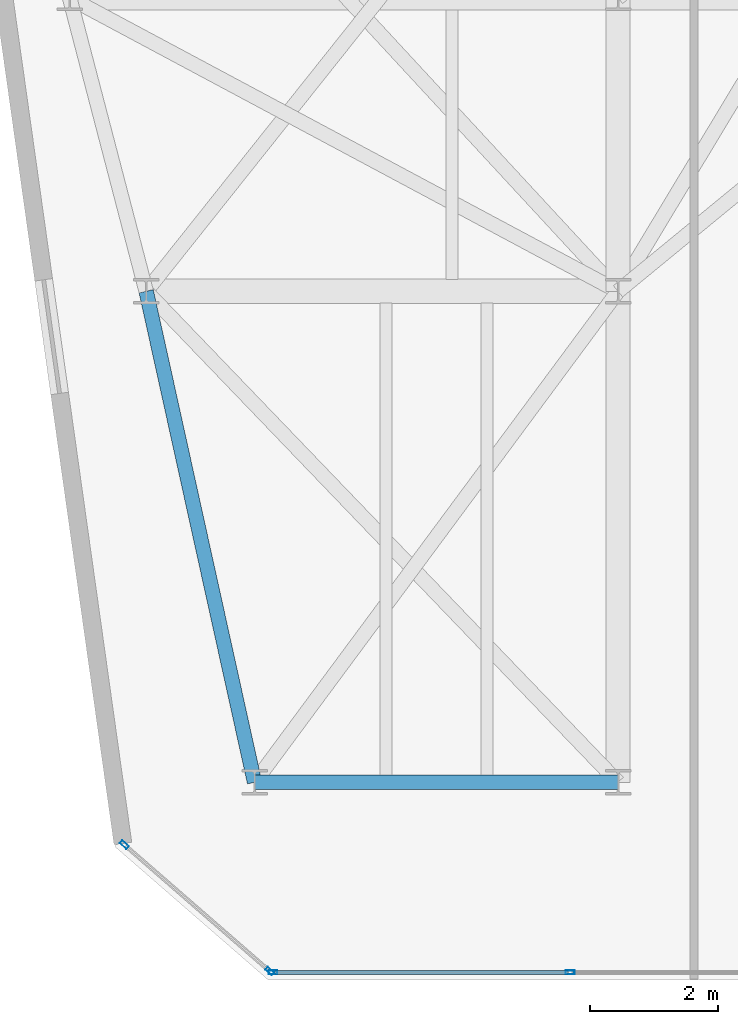
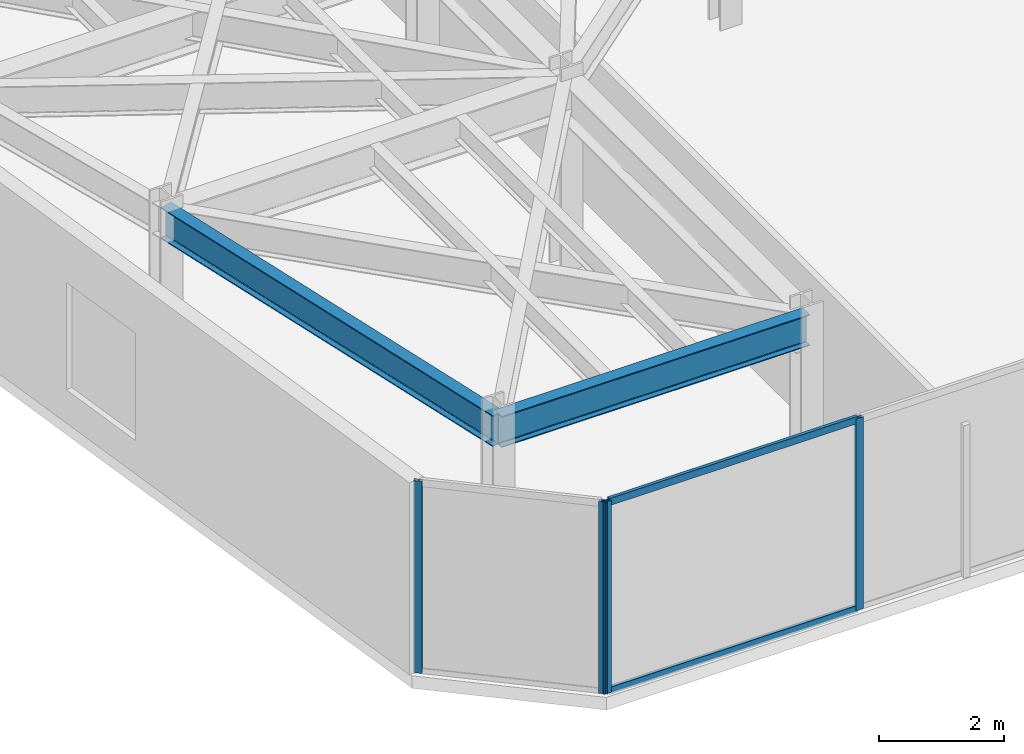
# One storey, part 2 of 21: 6 members, 2 beams, 2 elements without a shape of their own.
"""IFC4 building model written with IfcOpenShell, lengths in metres."""

import ifcopenshell
import ifcopenshell.guid

model = None  # the IFC model being written
_history = None  # IfcOwnerHistory: only IFC2X3 demands one
_inside = {}  # id of a spatial element -> (the spatial element, [elements in it])
_under = {}  # id of a project, library or spatial element -> (it, [spatial elements below it])
_declared = {}  # id of a project -> (the project, [libraries it declares])
_typed = {}  # id of a type object -> (the type object, [elements of that type])
_made_of = {}  # id of a material, layer set ... -> (it, [elements and type objects made of it])


def new_model(schema):
    """Start an empty IFC model of exactly this schema.

    Asked for "IFC4X3", IfcOpenShell would pick the latest addendum, in which some entities
    have other attributes; the version numbers below select the first issue.
    IFC2X3 requires an IfcOwnerHistory on every rooted entity: one is made here for all.
    """
    global model, _history
    if schema == "IFC4X3":
        model = ifcopenshell.file(schema_version=(4, 3, 0, 0))
    else:
        model = ifcopenshell.file(schema=schema)
    _inside.clear()
    _under.clear()
    _declared.clear()
    _typed.clear()
    _made_of.clear()
    _history = None
    if model.schema == "IFC2X3":
        org = make("IfcOrganization", Name="unknown")
        user = make(
            "IfcPersonAndOrganization",
            ThePerson=make("IfcPerson", FamilyName="unknown"),
            TheOrganization=org,
        )
        app = make(
            "IfcApplication",
            ApplicationDeveloper=org,
            Version="unknown",
            ApplicationFullName="unknown",
            ApplicationIdentifier="unknown",
        )
        _history = make(
            "IfcOwnerHistory",
            OwningUser=user,
            OwningApplication=app,
            ChangeAction="ADDED",
            CreationDate=0,
        )
    return model


def make(cls, **values):
    """One entity of the class cls with the attributes given. An attribute that is None is left unset."""
    return model.create_entity(
        cls, **{name: value for name, value in values.items() if value is not None}
    )


def rooted(cls, **values):
    """An entity with a GlobalId (a new one), such as an element, a storey or a relation."""
    return make(cls, GlobalId=ifcopenshell.guid.new(), OwnerHistory=_history, **values)


def si_unit(unit_type, name, prefix=None):
    """IfcSIUnit, for example si_unit("LENGTHUNIT", "METRE", prefix="MILLI")."""
    return make("IfcSIUnit", UnitType=unit_type, Prefix=prefix, Name=name)


def assignment(units):
    """IfcUnitAssignment: the units of a project."""
    return None if units is None else make("IfcUnitAssignment", Units=units)


def point(xyz):
    """IfcCartesianPoint."""
    return None if xyz is None else make("IfcCartesianPoint", Coordinates=xyz)


def direction(xyz):
    """IfcDirection."""
    return None if xyz is None else make("IfcDirection", DirectionRatios=xyz)


def frame(location, z_axis=None, x_axis=None):
    """IfcAxis2Placement3D, a coordinate frame: its origin and axes. An axis left out is left unset."""
    return make(
        "IfcAxis2Placement3D",
        Location=point(location),
        Axis=direction(z_axis),
        RefDirection=direction(x_axis),
    )


def frame_2d(location, x_axis=None):
    """IfcAxis2Placement2D, a coordinate frame in the plane: its origin and x axis."""
    return make(
        "IfcAxis2Placement2D", Location=point(location), RefDirection=direction(x_axis)
    )


def origin():
    """The frame at (0, 0, 0) with its axes left unset."""
    return frame((0.0, 0.0, 0.0))


def origin_2d():
    """The frame at (0, 0) in the plane with its x axis left unset."""
    return frame_2d((0.0, 0.0))


def place(relative_to, where):
    """IfcLocalPlacement: puts the frame where relative to a parent placement (None: the world)."""
    return make(
        "IfcLocalPlacement", PlacementRelTo=relative_to, RelativePlacement=where
    )


def context(
    kind, dimensions, precision=None, world=None, true_north=None, identifier=None
):
    """IfcGeometricRepresentationContext, for example the 3D "Model" context."""
    return make(
        "IfcGeometricRepresentationContext",
        ContextIdentifier=identifier,
        ContextType=kind,
        CoordinateSpaceDimension=dimensions,
        Precision=precision,
        WorldCoordinateSystem=world,
        TrueNorth=true_north,
    )


def subcontext(parent, identifier, kind, view, scale=None):
    """IfcGeometricRepresentationSubContext, for example "Body" below "Model"."""
    return make(
        "IfcGeometricRepresentationSubContext",
        ContextIdentifier=identifier,
        ContextType=kind,
        ParentContext=parent,
        TargetScale=scale,
        TargetView=view,
    )


def project(units=None, contexts=None):
    """IfcProject with its units and contexts."""
    return rooted(
        "IfcProject",
        Name="project",
        RepresentationContexts=contexts,
        UnitsInContext=assignment(units),
    )


def spatial(cls, under=None, at=None, **own):
    """A site, building, storey or space (cls), placed at a placement, below another one or the project."""
    s = rooted(cls, ObjectPlacement=at, **own)
    if under is not None:
        _under.setdefault(under.id(), (under, []))[1].append(s)
    return s


def profile(cls, at=None, kind="AREA", **sizes):
    """A parametric profile (cls). Its sizes go by their IFC names, for example OverallWidth=200.0."""
    return make(cls, ProfileType=kind, Position=at, **sizes)


def hollow_rectangle(**sizes):
    """IfcRectangleHollowProfileDef."""
    return profile("IfcRectangleHollowProfileDef", **sizes)


def i_section(**sizes):
    """IfcIShapeProfileDef."""
    return profile("IfcIShapeProfileDef", **sizes)


def extrude(swept, where, along, depth):
    """IfcExtrudedAreaSolid: the profile swept, set in the frame where, extruded along a direction by depth."""
    return make(
        "IfcExtrudedAreaSolid",
        SweptArea=swept,
        Position=where,
        ExtrudedDirection=direction(along),
        Depth=depth,
    )


def shape(context_of_items, identifier, shape_type, items):
    """IfcShapeRepresentation: the items that make up one representation, for example the "Body"."""
    return make(
        "IfcShapeRepresentation",
        ContextOfItems=context_of_items,
        RepresentationIdentifier=identifier,
        RepresentationType=shape_type,
        Items=items,
    )


def material(Name=None, Category=None):
    """IfcMaterial."""
    return make("IfcMaterial", Name=Name, Category=Category)


def layer(
    of_material, thickness, ventilated=None, Name=None, Category=None, Priority=None
):
    """IfcMaterialLayer: one layer of a wall or slab, of a material (None: an air gap)."""
    return make(
        "IfcMaterialLayer",
        Material=of_material,
        LayerThickness=thickness,
        IsVentilated=ventilated,
        Name=Name,
        Category=Category,
        Priority=Priority,
    )


def layer_set(layers, Name=None):
    """IfcMaterialLayerSet."""
    return make("IfcMaterialLayerSet", MaterialLayers=layers, LayerSetName=Name)


def material_profile(
    of_material, cross_section, Name=None, Category=None, Priority=None
):
    """IfcMaterialProfile: a cross section and its material."""
    return make(
        "IfcMaterialProfile",
        Name=Name,
        Material=of_material,
        Profile=cross_section,
        Priority=Priority,
        Category=Category,
    )


def profile_set(profiles, Name=None, composite=None):
    """IfcMaterialProfileSet."""
    return make(
        "IfcMaterialProfileSet",
        Name=Name,
        MaterialProfiles=profiles,
        CompositeProfile=composite,
    )


def made_of(thing, what):
    """Note that an element or type object is made of a material, layer set ...; save() writes the relation."""
    if what is not None:
        _made_of.setdefault(what.id(), (what, []))[1].append(thing)
    return thing


def type_object(cls, material=None, **own):
    """A type object (cls), such as IfcWallType, which elements share."""
    return made_of(rooted(cls, **own), material)


def element(
    cls,
    number,
    at=None,
    inside=None,
    cuts=None,
    type_object=None,
    material=None,
    context=None,
    identifier="Body",
    shape_type=None,
    held_by="IfcProductDefinitionShape",
    body=None,
    shapes=None,
    **own,
):
    """One element of the class cls, such as IfcWall. Its Tag is "e" and its number.

    at: its placement. inside: the storey or other place that contains it. cuts: it is an
    opening in that element (IfcRelVoidsElement). A single representation is given by context,
    identifier, shape_type and body (its items); several are given by shapes. held_by: the class
    of the entity that holds the representations. save() writes the other relations.
    """
    e = rooted(cls, Tag="e%d" % number, ObjectPlacement=at, **own)
    if body is not None:
        shapes = [shape(context, identifier, shape_type, body)]
    if shapes is not None:
        e.Representation = make(held_by, Representations=shapes)
    if inside is not None:
        _inside.setdefault(inside.id(), (inside, []))[1].append(e)
    if cuts is not None:
        rooted(
            "IfcRelVoidsElement", RelatingBuildingElement=cuts, RelatedOpeningElement=e
        )
    if type_object is not None:
        _typed.setdefault(type_object.id(), (type_object, []))[1].append(e)
    return made_of(e, material)


def aggregate(whole, parts):
    """IfcRelAggregates: a whole, such as a stair, and the parts it consists of."""
    return rooted("IfcRelAggregates", RelatingObject=whole, RelatedObjects=parts)


def save(model, path):
    """Write the relations noted so far, then the file.

    IfcRelAggregates (storeys below a building ...), IfcRelContainedInSpatialStructure (elements
    in a storey), IfcRelDefinesByType, IfcRelAssociatesMaterial and IfcRelDeclares: one each for
    every whole, place, type object, material and project.
    """
    for whole, parts in _under.values():
        aggregate(whole, parts)
    for where, things in _inside.values():
        rooted(
            "IfcRelContainedInSpatialStructure",
            RelatedElements=things,
            RelatingStructure=where,
        )
    for kind, things in _typed.values():
        rooted("IfcRelDefinesByType", RelatedObjects=things, RelatingType=kind)
    for what, things in _made_of.values():
        rooted("IfcRelAssociatesMaterial", RelatedObjects=things, RelatingMaterial=what)
    for by, libraries in _declared.values():
        rooted("IfcRelDeclares", RelatingContext=by, RelatedDefinitions=libraries)
    model.write(path)


model = new_model("IFC4")

# Units and contexts
model_context = context("Model", 3, precision=1e-05, world=origin(), true_north=direction((0.0, 1.0)))
body_context = subcontext(model_context, "Body", "Model", "MODEL_VIEW")
ifc_project = project(units=[si_unit("LENGTHUNIT", "METRE"), si_unit("AREAUNIT", "SQUARE_METRE"), si_unit("VOLUMEUNIT", "CUBIC_METRE"), si_unit("PLANEANGLEUNIT", "RADIAN"), si_unit("MASSUNIT", "GRAM", prefix="KILO")], contexts=[model_context])

# Site, building, storey
site_placement = place(None, origin())
site = spatial("IfcSite", under=ifc_project, at=site_placement, CompositionType="ELEMENT")
building_placement = place(site_placement, origin())
building = spatial("IfcBuilding", under=site, at=building_placement, Name="Kravanh Interchange Tower", CompositionType="ELEMENT")
storey_placement = place(building_placement, frame((0.0, 0.0, 200.5)))
storey = spatial("IfcBuildingStorey", under=building, at=storey_placement, Name="L48", CompositionType="ELEMENT", Elevation=200.5)

# Curtain wall, members
ifc_material_1 = material(Name="Anodised Bronze Aluminium", Category="aluminium")
ifc_layer = layer(ifc_material_1, 0.179931640625)
ifc_layer_set = layer_set([ifc_layer], Name="Unitised Curtain Wall System CW-Z3 Upper Office")
curtain_wall_type = type_object("IfcCurtainWallType", Name="Unitised Curtain Wall System CW-Z3 Upper Office", PredefinedType="NOTDEFINED", material=ifc_layer_set)
curtain_wall_1_placement = place(storey_placement, origin())
curtain_wall_1 = element("IfcCurtainWall", 1, at=curtain_wall_1_placement, inside=storey, type_object=curtain_wall_type, Name="L48 Unitised Curtain Wall CW-L48-05", PredefinedType="NOTDEFINED")
ifc_material_2 = material(Name="Anodised Bronze Aluminium", Category="aluminium")
ifc_material_profile_1 = material_profile(ifc_material_2, hollow_rectangle(XDim=0.06005859375, YDim=0.139892578125, WallThickness=0.00390625, at=origin_2d()), Name="ALU60X140X4")
ifc_profile_set_1 = profile_set([ifc_material_profile_1], Name="Anodised Bronze Aluminium")
member_type_1 = type_object("IfcMemberType", Name="Curtain Wall Mullion ALU60X140X4 Bronze", PredefinedType="MULLION", material=ifc_profile_set_1)
member_1_placement = place(storey_placement, frame((26.447998046875, 11.52001953125, 0.0), z_axis=(0.0, 0.0, 1.0), x_axis=(0.0, -1.0, 0.0)))
member_1 = element("IfcMember", 2, at=member_1_placement, type_object=member_type_1, Name="CW-Z3 mullion 2", PredefinedType="MULLION", context=body_context, shape_type="SweptSolid", body=[
    extrude(hollow_rectangle(XDim=0.06005859375, YDim=0.139892578125, WallThickness=0.00390625, at=origin_2d()), origin(), (0.0, 0.0, 1.0), 3.7548828125),
])
member_2_placement = place(storey_placement, frame((21.7890625, 11.52001953125, 0.0), z_axis=(0.0, 0.0, 1.0), x_axis=(0.0, -1.0, 0.0)))
member_2 = element("IfcMember", 3, at=member_2_placement, type_object=member_type_1, Name="CW-Z3 mullion 3", PredefinedType="MULLION", context=body_context, shape_type="SweptSolid", body=[
    extrude(hollow_rectangle(XDim=0.06005859375, YDim=0.139892578125, WallThickness=0.00390625, at=origin_2d()), origin(), (0.0, 0.0, 1.0), 3.7548828125),
])

curtain_wall_2_placement = place(storey_placement, origin())
curtain_wall_2 = element("IfcCurtainWall", 4, at=curtain_wall_2_placement, inside=storey, type_object=curtain_wall_type, Name="L48 Unitised Curtain Wall CW-L48-06", PredefinedType="NOTDEFINED")
member_3_placement = place(storey_placement, frame((21.736328125, 11.539794921875, 0.0), z_axis=(0.0, 0.0, 1.0), x_axis=(-0.65605090137, -0.754716645379, 0.0)))
member_3 = element("IfcMember", 5, at=member_3_placement, type_object=member_type_1, Name="CW-Z3 mullion 1", PredefinedType="MULLION", context=body_context, shape_type="SweptSolid", body=[
    extrude(hollow_rectangle(XDim=0.06005859375, YDim=0.139892578125, WallThickness=0.00390625, at=origin_2d()), origin(), (0.0, 0.0, 1.0), 3.7548828125),
])
member_4_placement = place(storey_placement, frame((19.45703125, 13.52099609375, 0.0), z_axis=(0.0, 0.0, 1.0), x_axis=(-0.65605090137, -0.754716645379, 0.0)))
member_4 = element("IfcMember", 6, at=member_4_placement, type_object=member_type_1, Name="CW-Z3 mullion 2", PredefinedType="MULLION", context=body_context, shape_type="SweptSolid", body=[
    extrude(hollow_rectangle(XDim=0.06005859375, YDim=0.139892578125, WallThickness=0.00390625, at=origin_2d()), origin(), (0.0, 0.0, 1.0), 3.7548828125),
])
aggregate(curtain_wall_2, [member_3, member_4])

# Member
ifc_material_3 = material(Name="Anodised Bronze Aluminium", Category="aluminium")
ifc_material_profile_2 = material_profile(ifc_material_3, hollow_rectangle(XDim=0.06005859375, YDim=0.139892578125, WallThickness=0.00390625, at=origin_2d()), Name="ALU60X140X4")
ifc_profile_set_2 = profile_set([ifc_material_profile_2], Name="Anodised Bronze Aluminium")
member_type_2 = type_object("IfcMemberType", Name="Curtain Wall Transom ALU60X140X4 Bronze", PredefinedType="USERDEFINED", material=ifc_profile_set_2)
member_5_placement = place(storey_placement, frame((26.41796875, 11.52001953125, 0.030029296875), z_axis=(-1.0, 0.0, 0.0), x_axis=(0.0, -1.0, 0.0)))
member_5 = element("IfcMember", 7, at=member_5_placement, type_object=member_type_2, Name="CW-Z3 transom 2.1", ObjectType="TRANSOM", PredefinedType="USERDEFINED", context=body_context, shape_type="SweptSolid", body=[
    extrude(hollow_rectangle(XDim=0.06005859375, YDim=0.139892578125, WallThickness=0.00390625, at=origin_2d()), origin(), (0.0, 0.0, 1.0), 4.598876953125),
])

member_6_placement = place(storey_placement, frame((26.41796875, 11.52001953125, 3.72509765625), z_axis=(-1.0, 0.0, 0.0), x_axis=(0.0, -1.0, 0.0)))
member_6 = element("IfcMember", 8, at=member_6_placement, type_object=member_type_2, Name="CW-Z3 transom 2.2", ObjectType="TRANSOM", PredefinedType="USERDEFINED", context=body_context, shape_type="SweptSolid", body=[
    extrude(hollow_rectangle(XDim=0.06005859375, YDim=0.139892578125, WallThickness=0.00390625, at=origin_2d()), origin(), (0.0, 0.0, 1.0), 4.598876953125),
])

aggregate(curtain_wall_1, [member_1, member_2, member_5, member_6])

# Beams
ifc_material_4 = material(Name="Structural Steel S355", Category="steel")
ifc_material_profile_3 = material_profile(ifc_material_4, i_section(OverallWidth=0.22802734375, OverallDepth=0.60791015625, WebThickness=0.01123046875, FlangeThickness=0.017333984375, FilletRadius=0.02197265625, at=origin_2d()), Name="W24X76")
ifc_profile_set_3 = profile_set([ifc_material_profile_3], Name="Structural Steel S355")
beam_type = type_object("IfcBeamType", Name="Floor Spandrel W24X76 Structural Steel S355", PredefinedType="SPANDREL", material=ifc_profile_set_3)
beam_1_placement = place(storey_placement, frame((21.5, 14.5, 3.450927734375), z_axis=(1.0, 0.0, 0.0), x_axis=(0.0, 1.0, 0.0)))
element("IfcBeam", 9, at=beam_1_placement, inside=storey, type_object=beam_type, Name="L48 Perimeter Spandrel 30", PredefinedType="SPANDREL", context=body_context, shape_type="SweptSolid", body=[
    extrude(i_section(OverallWidth=0.22802734375, OverallDepth=0.60791015625, WebThickness=0.01123046875, FlangeThickness=0.017333984375, FilletRadius=0.02197265625, at=origin_2d()), origin(), (0.0, 0.0, 1.0), 5.699951171875),
])
beam_2_placement = place(storey_placement, frame((21.5, 14.5, 3.450927734375), z_axis=(-0.215582892261, 0.976485543449, 0.0), x_axis=(-0.976485543449, -0.215582892261, 0.0)))
element("IfcBeam", 10, at=beam_2_placement, inside=storey, type_object=beam_type, Name="L48 Perimeter Spandrel 31", PredefinedType="SPANDREL", context=body_context, shape_type="SweptSolid", body=[
    extrude(i_section(OverallWidth=0.22802734375, OverallDepth=0.60791015625, WebThickness=0.01123046875, FlangeThickness=0.017333984375, FilletRadius=0.02197265625, at=origin_2d()), origin(), (0.0, 0.0, 1.0), 7.88525390625),
])

save(model, "model.ifc")
